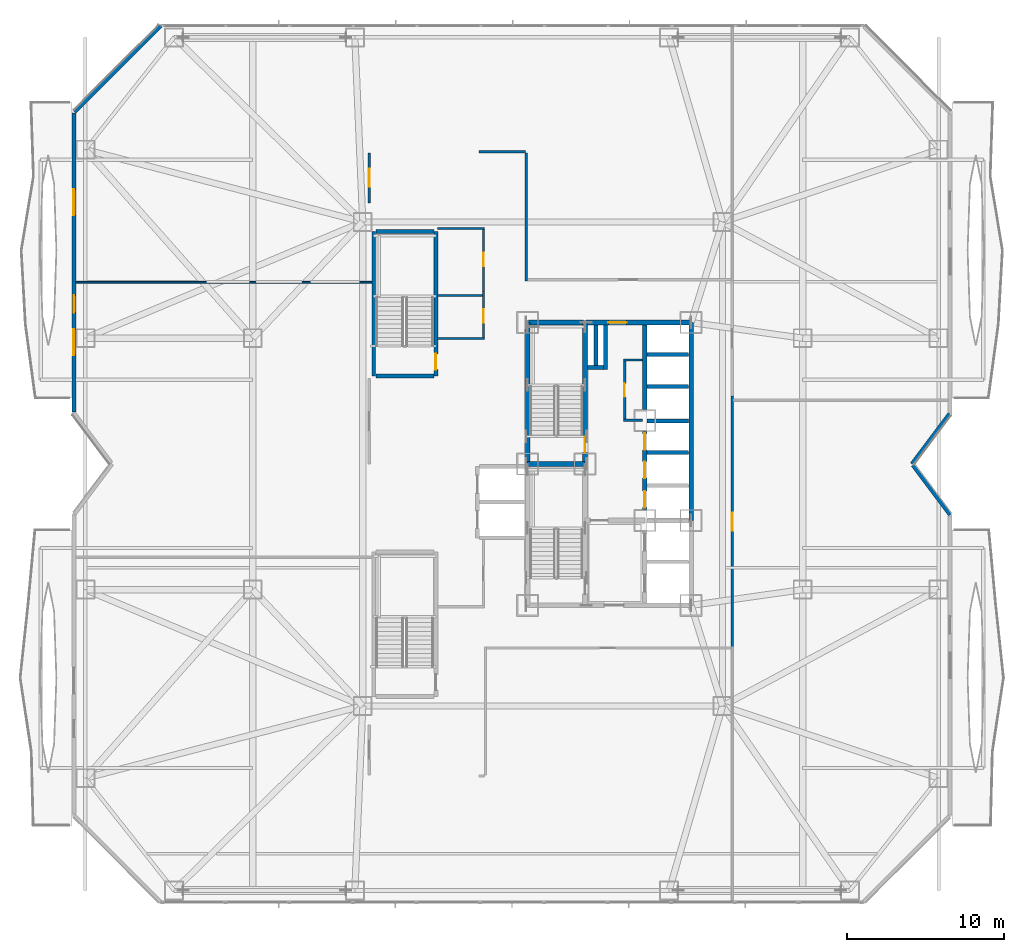
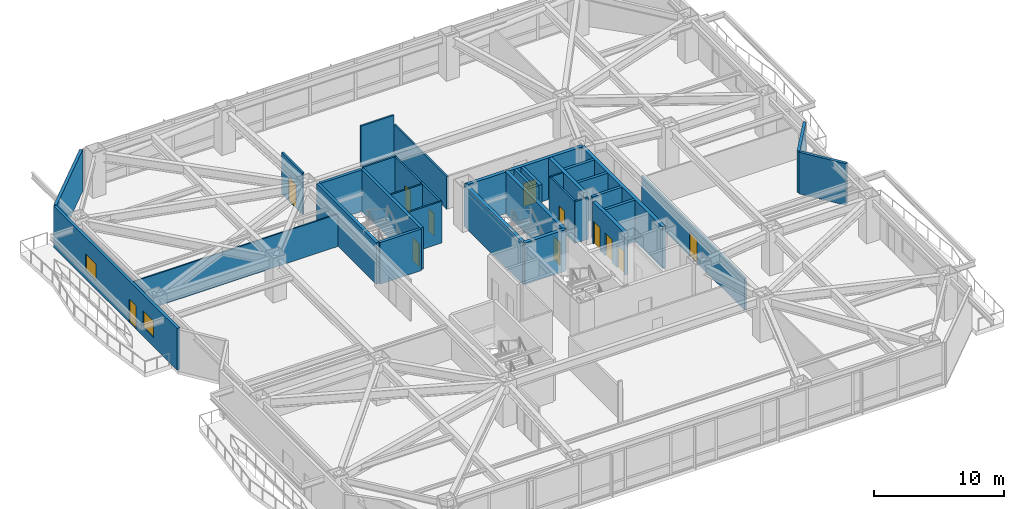
# One storey, part 24 of 32: 35 walls, 12 doors, 2 windows, 14 openings.
"""IFC4 building model written with IfcOpenShell, lengths in metres."""

from ifc_helpers import new_model, si_unit, direction, frame, frame_2d, origin, place, context, subcontext, project, spatial, rectangle, extrude, material, layer, layer_set, type_object, element, fill, save


model = new_model("IFC4")

# Units and contexts
model_context = context("Model", 3, precision=1e-05, world=origin(), true_north=direction((0.0, 1.0)))
body_context = subcontext(model_context, "Body", "Model", "MODEL_VIEW")
ifc_project = project(units=[si_unit("LENGTHUNIT", "METRE"), si_unit("AREAUNIT", "SQUARE_METRE"), si_unit("VOLUMEUNIT", "CUBIC_METRE"), si_unit("PLANEANGLEUNIT", "RADIAN"), si_unit("MASSUNIT", "GRAM", prefix="KILO")], contexts=[model_context])

# Site, building, storey
site_placement = place(None, origin())
site = spatial("IfcSite", under=ifc_project, at=site_placement, CompositionType="ELEMENT")
building_placement = place(site_placement, origin())
building = spatial("IfcBuilding", under=site, at=building_placement, Name="Khamvora Tower", CompositionType="ELEMENT")
storey_placement = place(building_placement, frame((0.0, 0.0, 12.0)))
storey = spatial("IfcBuildingStorey", under=building, at=storey_placement, Name="L02", CompositionType="ELEMENT", Elevation=12.0)

# Wall
ifc_material_1 = material(Name="Concrete C50/60", Category="concrete")
ifc_layer_1 = layer(ifc_material_1, 0.300048828125)
ifc_layer_set_1 = layer_set([ifc_layer_1], Name="Concrete C50/60")
wall_type_1 = type_object("IfcWallType", Name="WAL-CORE-300", PredefinedType="SHEAR", material=ifc_layer_set_1)
wall_1_placement = place(storey_placement, frame((29.0, 28.0, 0.0), z_axis=(0.0, 0.0, 1.0), x_axis=(0.0, 1.0, 0.0)))
element("IfcWall", 1, at=wall_1_placement, inside=storey, type_object=wall_type_1, Name="L02 central core west north wall", PredefinedType="SHEAR", context=body_context, shape_type="SweptSolid", body=[
    extrude(rectangle(XDim=9.0, YDim=0.300048828125, at=frame_2d((4.5, 0.0))), origin(), (0.0, 0.0, 1.0), 3.919921875),
])

# Wall, opening, door
wall_2_placement = place(storey_placement, frame((29.0, 37.0, 0.0), z_axis=(0.0, 0.0, 1.0), x_axis=(1.0, 0.0, 0.0)))
wall_2 = element("IfcWall", 2, at=wall_2_placement, inside=storey, type_object=wall_type_1, Name="L02 central core north wall", PredefinedType="SHEAR", context=body_context, shape_type="SweptSolid", body=[
    extrude(rectangle(XDim=10.39990234375, YDim=0.300048828125, at=frame_2d((5.199951171875, 0.0))), origin(), (0.0, 0.0, 1.0), 3.919921875),
])
opening_1_placement = place(wall_2_placement, frame((5.139892578125, 0.0, 0.0)))
opening_1 = element("IfcOpeningElement", 3, at=opening_1_placement, cuts=wall_2, Name="Opening D-SC1", PredefinedType="OPENING", context=body_context, shape_type="SweptSolid", body=[
    extrude(rectangle(XDim=1.14990234375, YDim=2.199951171875, at=frame_2d((0.574951171875, 1.10009765625))), frame((0.0, 0.159912109375, 0.0), z_axis=(0.0, -1.0, 0.0), x_axis=(1.0, 0.0, 0.0)), (0.0, 0.0, 1.0), 0.320068359375),
])
ifc_material_2 = material(Name="Powder-Coated Steel and Hardwood Leaf", Category="steel")
door_type_1 = type_object("IfcDoorType", Name="DOR-SCHL-1150", OperationType="NOTDEFINED", PredefinedType="DOOR", material=ifc_material_2)
door_1_placement = place(opening_1_placement, origin())
door_1 = element("IfcDoor", 4, at=door_1_placement, inside=storey, type_object=door_type_1, Name="L02 north core lobby to corridor fire door", OperationType="SINGLE_SWING_LEFT", OverallHeight=2.199951171875, OverallWidth=1.14990234375, PredefinedType="DOOR", context=body_context, shape_type="SweptSolid", body=[
    extrude(rectangle(XDim=1.14990234375, YDim=2.199951171875, at=frame_2d((0.574951171875, 1.10009765625))), frame((0.0, 0.02490234375, 0.0), z_axis=(0.0, -1.0, 0.0), x_axis=(1.0, 0.0, 0.0)), (0.0, 0.0, 1.0), 0.050048828125),
])
fill(opening_1, door_1)

# Wall
wall_3_placement = place(storey_placement, frame((39.39990234375, 24.39990234375, 0.0), z_axis=(0.0, 0.0, 1.0), x_axis=(0.0, 1.0, 0.0)))
element("IfcWall", 5, at=wall_3_placement, inside=storey, type_object=wall_type_1, Name="L02 central core east north wall", PredefinedType="SHEAR", context=body_context, shape_type="SweptSolid", body=[
    extrude(rectangle(XDim=12.60009765625, YDim=0.300048828125, at=frame_2d((6.300048828125, 0.0))), origin(), (0.0, 0.0, 1.0), 3.919921875),
])

# Wall, opening, door
wall_4_placement = place(storey_placement, frame((32.64990234375, 28.0, 0.0), z_axis=(0.0, 0.0, 1.0), x_axis=(0.0, 1.0, 0.0)))
wall_4 = element("IfcWall", 6, at=wall_4_placement, inside=storey, type_object=wall_type_1, Name="L02 central core stair north spine wall", PredefinedType="SHEAR", context=body_context, shape_type="SweptSolid", body=[
    extrude(rectangle(XDim=9.0, YDim=0.300048828125, at=frame_2d((4.5, 0.0))), origin(), (0.0, 0.0, 1.0), 3.919921875),
])
opening_2_placement = place(wall_4_placement, frame((0.719970703125, 0.0, 0.0)))
opening_2 = element("IfcOpeningElement", 7, at=opening_2_placement, cuts=wall_4, Name="Opening D-ST1", PredefinedType="OPENING", context=body_context, shape_type="SweptSolid", body=[
    extrude(rectangle(XDim=1.0, YDim=2.14990234375, at=frame_2d((0.5, 1.074951171875))), frame((0.0, 0.159912109375, 0.0), z_axis=(0.0, -1.0, 0.0), x_axis=(1.0, 0.0, 0.0)), (0.0, 0.0, 1.0), 0.320068359375),
])
door_type_2 = type_object("IfcDoorType", Name="DOR-STAIR-1000", OperationType="NOTDEFINED", PredefinedType="DOOR", material=ifc_material_2)
door_2_placement = place(opening_2_placement, origin())
door_2 = element("IfcDoor", 8, at=door_2_placement, inside=storey, type_object=door_type_2, Name="L02 exit stair ST-02 fire door", OperationType="SINGLE_SWING_RIGHT", OverallHeight=2.14990234375, OverallWidth=1.0, PredefinedType="DOOR", context=body_context, shape_type="SweptSolid", body=[
    extrude(rectangle(XDim=1.0, YDim=2.14990234375, at=frame_2d((0.5, 1.074951171875))), frame((0.0, 0.02490234375, 0.0), z_axis=(0.0, -1.0, 0.0), x_axis=(1.0, 0.0, 0.0)), (0.0, 0.0, 1.0), 0.050048828125),
])
fill(opening_2, door_2)

# Wall
wall_5_placement = place(storey_placement, frame((29.0, 28.0, 0.0), z_axis=(0.0, 0.0, 1.0), x_axis=(1.0, 0.0, 0.0)))
element("IfcWall", 9, at=wall_5_placement, inside=storey, type_object=wall_type_1, Name="L02 central core stair cross wall", PredefinedType="SHEAR", context=body_context, shape_type="SweptSolid", body=[
    extrude(rectangle(XDim=3.64990234375, YDim=0.300048828125, at=frame_2d((1.824951171875, 0.0))), origin(), (0.0, 0.0, 1.0), 3.919921875),
])

# Wall, openings, doors
wall_6_placement = place(storey_placement, frame((36.449951171875, 25.10009765625, 0.0), z_axis=(0.0, 0.0, 1.0), x_axis=(0.0, 1.0, 0.0)))
wall_6 = element("IfcWall", 10, at=wall_6_placement, inside=storey, type_object=wall_type_1, Name="L02 central core lift bank central wall", PredefinedType="SHEAR", context=body_context, shape_type="SweptSolid", body=[
    extrude(rectangle(XDim=4.949951171875, YDim=0.300048828125, at=frame_2d((2.47509765625, 0.0))), origin(), (0.0, 0.0, 1.0), 3.919921875),
])
opening_3_placement = place(wall_6_placement, frame((0.1201171875, 0.0, 0.0)))
opening_3 = element("IfcOpeningElement", 11, at=opening_3_placement, cuts=wall_6, Name="Opening LD-PL", PredefinedType="OPENING", context=body_context, shape_type="SweptSolid", body=[
    extrude(rectangle(XDim=1.050048828125, YDim=2.14990234375, at=frame_2d((0.52490234375, 1.074951171875))), frame((0.0, 0.159912109375, 0.0), z_axis=(0.0, -1.0, 0.0), x_axis=(1.0, 0.0, 0.0)), (0.0, 0.0, 1.0), 0.320068359375),
])
opening_4_placement = place(wall_6_placement, frame((1.9951171875, 0.0, 0.0)))
opening_4 = element("IfcOpeningElement", 12, at=opening_4_placement, cuts=wall_6, Name="Opening LD-PL", PredefinedType="OPENING", context=body_context, shape_type="SweptSolid", body=[
    extrude(rectangle(XDim=1.050048828125, YDim=2.14990234375, at=frame_2d((0.52490234375, 1.074951171875))), frame((0.0, 0.159912109375, 0.0), z_axis=(0.0, -1.0, 0.0), x_axis=(1.0, 0.0, 0.0)), (0.0, 0.0, 1.0), 0.320068359375),
])
opening_5_placement = place(wall_6_placement, frame((3.794921875, 0.0, 0.0)))
opening_5 = element("IfcOpeningElement", 13, at=opening_5_placement, cuts=wall_6, Name="Opening LD-PL", PredefinedType="OPENING", context=body_context, shape_type="SweptSolid", body=[
    extrude(rectangle(XDim=1.050048828125, YDim=2.14990234375, at=frame_2d((0.52490234375, 1.074951171875))), frame((0.0, 0.159912109375, 0.0), z_axis=(0.0, -1.0, 0.0), x_axis=(1.0, 0.0, 0.0)), (0.0, 0.0, 1.0), 0.320068359375),
])
door_type_3 = type_object("IfcDoorType", Name="DOR-LIFT-1050", OperationType="SLIDING_TO_LEFT", PredefinedType="DOOR", material=ifc_material_2)
door_3_placement = place(opening_3_placement, origin())
door_3 = element("IfcDoor", 14, at=door_3_placement, inside=storey, type_object=door_type_3, Name="L02 lift landing sliding door PL-01", OperationType="SLIDING_TO_LEFT", OverallHeight=2.14990234375, OverallWidth=1.050048828125, PredefinedType="DOOR", context=body_context, shape_type="SweptSolid", body=[
    extrude(rectangle(XDim=1.050048828125, YDim=2.14990234375, at=frame_2d((0.52490234375, 1.074951171875))), frame((0.0, 0.02490234375, 0.0), z_axis=(0.0, -1.0, 0.0), x_axis=(1.0, 0.0, 0.0)), (0.0, 0.0, 1.0), 0.050048828125),
])
fill(opening_3, door_3)
door_4_placement = place(opening_4_placement, origin())
door_4 = element("IfcDoor", 15, at=door_4_placement, inside=storey, type_object=door_type_3, Name="L02 lift landing sliding door PL-02", OperationType="SLIDING_TO_LEFT", OverallHeight=2.14990234375, OverallWidth=1.050048828125, PredefinedType="DOOR", context=body_context, shape_type="SweptSolid", body=[
    extrude(rectangle(XDim=1.050048828125, YDim=2.14990234375, at=frame_2d((0.52490234375, 1.074951171875))), frame((0.0, 0.02490234375, 0.0), z_axis=(0.0, -1.0, 0.0), x_axis=(1.0, 0.0, 0.0)), (0.0, 0.0, 1.0), 0.050048828125),
])
fill(opening_4, door_4)
door_5_placement = place(opening_5_placement, origin())
door_5 = element("IfcDoor", 16, at=door_5_placement, inside=storey, type_object=door_type_3, Name="L02 lift landing sliding door PL-03", OperationType="SLIDING_TO_LEFT", OverallHeight=2.14990234375, OverallWidth=1.050048828125, PredefinedType="DOOR", context=body_context, shape_type="SweptSolid", body=[
    extrude(rectangle(XDim=1.050048828125, YDim=2.14990234375, at=frame_2d((0.52490234375, 1.074951171875))), frame((0.0, 0.02490234375, 0.0), z_axis=(0.0, -1.0, 0.0), x_axis=(1.0, 0.0, 0.0)), (0.0, 0.0, 1.0), 0.050048828125),
])
fill(opening_5, door_5)

# Walls
wall_7_placement = place(storey_placement, frame((36.449951171875, 31.449951171875, 0.0), z_axis=(0.0, 0.0, 1.0), x_axis=(0.0, 1.0, 0.0)))
element("IfcWall", 17, at=wall_7_placement, inside=storey, type_object=wall_type_1, Name="L02 central core lift bank north wall", PredefinedType="SHEAR", context=body_context, shape_type="SweptSolid", body=[
    extrude(rectangle(XDim=5.39599609375, YDim=0.300048828125, at=frame_2d((2.697998046875, 0.0))), origin(), (0.0, 0.0, 1.0), 3.919921875),
])
ifc_material_3 = material(Name="Fire-Rated Drywall and Steel Stud", Category="steel")
ifc_layer_2 = layer(ifc_material_3, 0.14990234375)
ifc_layer_set_2 = layer_set([ifc_layer_2], Name="Fire-Rated Drywall and Steel Stud")
wall_type_2 = type_object("IfcWallType", Name="WAL-CORR-150", PredefinedType="STANDARD", material=ifc_layer_set_2)
wall_8_placement = place(storey_placement, frame((36.305908203125, 34.614990234375, 0.0), z_axis=(0.0, 0.0, 1.0), x_axis=(-1.0, 0.0, 0.0)))
element("IfcWall", 18, at=wall_8_placement, inside=storey, type_object=wall_type_2, Name="L02 interior partition wall 001", PredefinedType="STANDARD", context=body_context, shape_type="SweptSolid", body=[
    extrude(rectangle(XDim=1.205810546875, YDim=0.14990234375, at=frame_2d((0.60302734375, 0.0))), origin(), (0.0, 0.0, 1.0), 3.919921875),
])

# Wall, opening, door
wall_9_placement = place(storey_placement, frame((35.1650390625, 34.677978515625, 0.0), z_axis=(0.0, 0.0, 1.0), x_axis=(0.0, -1.0, 0.0)))
wall_9 = element("IfcWall", 19, at=wall_9_placement, inside=storey, type_object=wall_type_2, Name="L02 interior partition wall 002", PredefinedType="STANDARD", context=body_context, shape_type="SweptSolid", body=[
    extrude(rectangle(XDim=3.9580078125, YDim=0.14990234375, at=frame_2d((1.97900390625, 0.0))), origin(), (0.0, 0.0, 1.0), 3.919921875),
])
opening_6_placement = place(wall_9_placement, frame((1.553955078125, 0.0, 0.0)))
opening_6 = element("IfcOpeningElement", 20, at=opening_6_placement, cuts=wall_9, Name="Opening D-WC1", PredefinedType="OPENING", context=body_context, shape_type="SweptSolid", body=[
    extrude(rectangle(XDim=0.85009765625, YDim=2.10009765625, at=frame_2d((0.425048828125, 1.050048828125))), frame((0.0, 0.0849609375, 0.0), z_axis=(0.0, -1.0, 0.0), x_axis=(1.0, 0.0, 0.0)), (0.0, 0.0, 1.0), 0.169921875),
])
door_type_4 = type_object("IfcDoorType", Name="DOR-WET-850", OperationType="NOTDEFINED", PredefinedType="DOOR", material=ifc_material_2)
door_6_placement = place(opening_6_placement, origin())
door_6 = element("IfcDoor", 21, at=door_6_placement, inside=storey, type_object=door_type_4, Name="L02 interior door PLL-CS1", OperationType="SINGLE_SWING_RIGHT", OverallHeight=2.10009765625, OverallWidth=0.85009765625, PredefinedType="DOOR", context=body_context, shape_type="SweptSolid", body=[
    extrude(rectangle(XDim=0.85009765625, YDim=2.10009765625, at=frame_2d((0.425048828125, 1.050048828125))), frame((0.0, 0.02490234375, 0.0), z_axis=(0.0, -1.0, 0.0), x_axis=(1.0, 0.0, 0.0)), (0.0, 0.0, 1.0), 0.050048828125),
])
fill(opening_6, door_6)

# Walls
wall_10_placement = place(storey_placement, frame((35.10205078125, 30.784912109375, 0.0), z_axis=(0.0, 0.0, 1.0), x_axis=(1.0, 0.0, 0.0)))
element("IfcWall", 22, at=wall_10_placement, inside=storey, type_object=wall_type_2, Name="L02 interior partition wall 003", PredefinedType="STANDARD", context=body_context, shape_type="SweptSolid", body=[
    extrude(rectangle(XDim=1.197998046875, YDim=0.14990234375, at=frame_2d((0.59912109375, 0.0))), origin(), (0.0, 0.0, 1.0), 3.919921875),
])
wall_11_placement = place(storey_placement, frame((23.26708984375, 35.985107421875, 0.0), z_axis=(0.0, 0.0, 1.0), x_axis=(1.0, 0.0, 0.0)))
element("IfcWall", 23, at=wall_11_placement, inside=storey, type_object=wall_type_2, Name="L02 interior partition wall 006", PredefinedType="STANDARD", context=body_context, shape_type="SweptSolid", body=[
    extrude(rectangle(XDim=2.98291015625, YDim=0.14990234375, at=frame_2d((1.491455078125, 0.0))), origin(), (0.0, 0.0, 1.0), 3.919921875),
])

# Wall, opening, door
wall_12_placement = place(storey_placement, frame((26.18505859375, 35.922119140625, 0.0), z_axis=(0.0, 0.0, 1.0), x_axis=(0.0, 1.0, 0.0)))
wall_12 = element("IfcWall", 24, at=wall_12_placement, inside=storey, type_object=wall_type_2, Name="L02 interior partition wall 007", PredefinedType="STANDARD", context=body_context, shape_type="SweptSolid", body=[
    extrude(rectangle(XDim=3.0419921875, YDim=0.14990234375, at=frame_2d((1.52099609375, 0.0))), origin(), (0.0, 0.0, 1.0), 3.919921875),
])
opening_7_placement = place(wall_12_placement, frame((1.074951171875, 0.0, 0.0)))
opening_7 = element("IfcOpeningElement", 25, at=opening_7_placement, cuts=wall_12, Name="Opening D-WC1", PredefinedType="OPENING", context=body_context, shape_type="SweptSolid", body=[
    extrude(rectangle(XDim=0.85009765625, YDim=2.10009765625, at=frame_2d((0.425048828125, 1.050048828125))), frame((0.0, 0.0849609375, 0.0), z_axis=(0.0, -1.0, 0.0), x_axis=(1.0, 0.0, 0.0)), (0.0, 0.0, 1.0), 0.169921875),
])
door_7_placement = place(opening_7_placement, origin())
door_7 = element("IfcDoor", 26, at=door_7_placement, inside=storey, type_object=door_type_4, Name="L02 interior door SCOR-WCA", OperationType="SINGLE_SWING_RIGHT", OverallHeight=2.10009765625, OverallWidth=0.85009765625, PredefinedType="DOOR", context=body_context, shape_type="SweptSolid", body=[
    extrude(rectangle(XDim=0.85009765625, YDim=2.10009765625, at=frame_2d((0.425048828125, 1.050048828125))), frame((0.0, 0.02490234375, 0.0), z_axis=(0.0, -1.0, 0.0), x_axis=(1.0, 0.0, 0.0)), (0.0, 0.0, 1.0), 0.050048828125),
])
fill(opening_7, door_7)

wall_13_placement = place(storey_placement, frame((26.18505859375, 38.964111328125, 0.0), z_axis=(0.0, 0.0, 1.0), x_axis=(0.0, 1.0, 0.0)))
wall_13 = element("IfcWall", 27, at=wall_13_placement, inside=storey, type_object=wall_type_2, Name="L02 interior partition wall 008", PredefinedType="STANDARD", context=body_context, shape_type="SweptSolid", body=[
    extrude(rectangle(XDim=4.0859375, YDim=0.14990234375, at=frame_2d((2.04296875, 0.0))), origin(), (0.0, 0.0, 1.0), 3.919921875),
])
opening_8_placement = place(wall_13_placement, frame((1.617919921875, 0.0, 0.0)))
opening_8 = element("IfcOpeningElement", 28, at=opening_8_placement, cuts=wall_13, Name="Opening D-WC1", PredefinedType="OPENING", context=body_context, shape_type="SweptSolid", body=[
    extrude(rectangle(XDim=0.85009765625, YDim=2.10009765625, at=frame_2d((0.425048828125, 1.050048828125))), frame((0.0, 0.0849609375, 0.0), z_axis=(0.0, -1.0, 0.0), x_axis=(1.0, 0.0, 0.0)), (0.0, 0.0, 1.0), 0.169921875),
])
door_8_placement = place(opening_8_placement, origin())
door_8 = element("IfcDoor", 29, at=door_8_placement, inside=storey, type_object=door_type_4, Name="L02 interior door SCOR-WCF", OperationType="SINGLE_SWING_LEFT", OverallHeight=2.10009765625, OverallWidth=0.85009765625, PredefinedType="DOOR", context=body_context, shape_type="SweptSolid", body=[
    extrude(rectangle(XDim=0.85009765625, YDim=2.10009765625, at=frame_2d((0.425048828125, 1.050048828125))), frame((0.0, 0.02490234375, 0.0), z_axis=(0.0, -1.0, 0.0), x_axis=(1.0, 0.0, 0.0)), (0.0, 0.0, 1.0), 0.050048828125),
])
fill(opening_8, door_8)

# Wall
wall_14_placement = place(storey_placement, frame((26.25, 42.985107421875, 0.0), z_axis=(0.0, 0.0, 1.0), x_axis=(-1.0, 0.0, 0.0)))
element("IfcWall", 30, at=wall_14_placement, inside=storey, type_object=wall_type_2, Name="L02 interior partition wall 009", PredefinedType="STANDARD", context=body_context, shape_type="SweptSolid", body=[
    extrude(rectangle(XDim=3.0, YDim=0.14990234375, at=frame_2d((1.5, 0.0))), origin(), (0.0, 0.0, 1.0), 3.919921875),
])

# Wall, opening, door
wall_15_placement = place(storey_placement, frame((18.9150390625, 44.60009765625, 0.0), z_axis=(0.0, 0.0, 1.0), x_axis=(0.0, 1.0, 0.0)))
wall_15 = element("IfcWall", 31, at=wall_15_placement, inside=storey, type_object=wall_type_2, Name="L02 interior partition wall 012", PredefinedType="STANDARD", context=body_context, shape_type="SweptSolid", body=[
    extrude(rectangle(XDim=3.199951171875, YDim=0.14990234375, at=frame_2d((1.60009765625, 0.0))), origin(), (0.0, 0.0, 1.0), 3.919921875),
])
opening_9_placement = place(wall_15_placement, frame((1.02490234375, 0.0, 0.0)))
opening_9 = element("IfcOpeningElement", 32, at=opening_9_placement, cuts=wall_15, Name="Opening D-SC1", PredefinedType="OPENING", context=body_context, shape_type="SweptSolid", body=[
    extrude(rectangle(XDim=1.14990234375, YDim=2.199951171875, at=frame_2d((0.574951171875, 1.10009765625))), frame((0.0, 0.0849609375, 0.0), z_axis=(0.0, -1.0, 0.0), x_axis=(1.0, 0.0, 0.0)), (0.0, 0.0, 1.0), 0.169921875),
])
door_9_placement = place(opening_9_placement, origin())
door_9 = element("IfcDoor", 33, at=door_9_placement, inside=storey, type_object=door_type_1, Name="L02 interior door SCOR-CL3", OperationType="SINGLE_SWING_RIGHT", OverallHeight=2.199951171875, OverallWidth=1.14990234375, PredefinedType="DOOR", context=body_context, shape_type="SweptSolid", body=[
    extrude(rectangle(XDim=1.14990234375, YDim=2.199951171875, at=frame_2d((0.574951171875, 1.10009765625))), frame((0.0, 0.02490234375, 0.0), z_axis=(0.0, -1.0, 0.0), x_axis=(1.0, 0.0, 0.0)), (0.0, 0.0, 1.0), 0.050048828125),
])
fill(opening_9, door_9)

wall_16_placement = place(storey_placement, frame((42.014892578125, 32.31396484375, 0.0), z_axis=(0.0, 0.0, 1.0), x_axis=(0.0, -1.0, 0.0)))
wall_16 = element("IfcWall", 34, at=wall_16_placement, inside=storey, type_object=wall_type_2, Name="L02 interior partition wall 013", PredefinedType="STANDARD", context=body_context, shape_type="SweptSolid", body=[
    extrude(rectangle(XDim=15.9638671875, YDim=0.14990234375, at=frame_2d((7.98193359375, 0.0))), origin(), (0.0, 0.0, 1.0), 3.054931640625),
])
opening_10_placement = place(wall_16_placement, frame((7.427978515625, 0.0, 0.0)))
opening_10 = element("IfcOpeningElement", 35, at=opening_10_placement, cuts=wall_16, Name="Opening D-SC1", PredefinedType="OPENING", context=body_context, shape_type="SweptSolid", body=[
    extrude(rectangle(XDim=1.14990234375, YDim=2.199951171875, at=frame_2d((0.574951171875, 1.10009765625))), frame((0.0, 0.0849609375, 0.0), z_axis=(0.0, -1.0, 0.0), x_axis=(1.0, 0.0, 0.0)), (0.0, 0.0, 1.0), 0.169921875),
])
door_10_placement = place(opening_10_placement, origin())
door_10 = element("IfcDoor", 36, at=door_10_placement, inside=storey, type_object=door_type_1, Name="L02 interior door SCOR-LIB", OperationType="SINGLE_SWING_LEFT", OverallHeight=2.199951171875, OverallWidth=1.14990234375, PredefinedType="DOOR", context=body_context, shape_type="SweptSolid", body=[
    extrude(rectangle(XDim=1.14990234375, YDim=2.199951171875, at=frame_2d((0.574951171875, 1.10009765625))), frame((0.0, 0.02490234375, 0.0), z_axis=(0.0, -1.0, 0.0), x_axis=(1.0, 0.0, 0.0)), (0.0, 0.0, 1.0), 0.050048828125),
])
fill(opening_10, door_10)

# Walls
wall_17_placement = place(storey_placement, frame((25.910888671875, 47.864990234375, 0.0), z_axis=(0.0, 0.0, 1.0), x_axis=(1.0, 0.0, 0.0)))
element("IfcWall", 37, at=wall_17_placement, inside=storey, type_object=wall_type_2, Name="L02 interior partition wall 018", PredefinedType="STANDARD", context=body_context, shape_type="SweptSolid", body=[
    extrude(rectangle(XDim=2.939208984375, YDim=0.14990234375, at=frame_2d((1.4697265625, 0.0))), origin(), (0.0, 0.0, 1.0), 3.919921875),
])
wall_18_placement = place(storey_placement, frame((28.9150390625, 47.800048828125, 0.0), z_axis=(0.0, 0.0, 1.0), x_axis=(0.0, -1.0, 0.0)))
element("IfcWall", 38, at=wall_18_placement, inside=storey, type_object=wall_type_2, Name="L02 interior partition wall 019", PredefinedType="STANDARD", context=body_context, shape_type="SweptSolid", body=[
    extrude(rectangle(XDim=8.150146484375, YDim=0.14990234375, at=frame_2d((4.0751953125, 0.0))), origin(), (0.0, 0.0, 1.0), 3.054931640625),
])

# Wall, openings, door, windows
ifc_material_4 = material(Name="Precast concrete C40/50", Category="concrete")
ifc_layer_3 = layer(ifc_material_4, 0.239990234375)
ifc_layer_set_3 = layer_set([ifc_layer_3], Name="Precast concrete C40/50")
wall_type_3 = type_object("IfcWallType", Name="WAL-EXT-240", PredefinedType="STANDARD", material=ifc_layer_set_3)
wall_19_placement = place(storey_placement, frame((0.1201171875, 31.303955078125, 0.0), z_axis=(0.0, 0.0, 1.0), x_axis=(0.0, 1.0, 0.0)))
wall_19 = element("IfcWall", 39, at=wall_19_placement, inside=storey, type_object=wall_type_3, Name="L02 exterior facade wall 05.1", PredefinedType="STANDARD", context=body_context, shape_type="SweptSolid", body=[
    extrude(rectangle(XDim=19.046142578125, YDim=0.239990234375, at=frame_2d((9.52294921875, 0.0))), origin(), (0.0, 0.0, 1.0), 3.919921875),
])
opening_11_placement = place(wall_19_placement, frame((6.326904296875, 0.0, 0.0)))
opening_11 = element("IfcOpeningElement", 40, at=opening_11_placement, cuts=wall_19, Name="Opening BD-01", PredefinedType="OPENING", context=body_context, shape_type="SweptSolid", body=[
    extrude(rectangle(XDim=1.10009765625, YDim=2.199951171875, at=frame_2d((0.550048828125, 1.10009765625))), frame((0.0, 0.1298828125, 0.0), z_axis=(0.0, -1.0, 0.0), x_axis=(1.0, 0.0, 0.0)), (0.0, 0.0, 1.0), 0.260009765625),
])
opening_12_placement = place(wall_19_placement, frame((3.623046875, 0.0, 0.85009765625)))
opening_12 = element("IfcOpeningElement", 41, at=opening_12_placement, cuts=wall_19, Name="Opening WN-06", PredefinedType="OPENING", context=body_context, shape_type="SweptSolid", body=[
    extrude(rectangle(XDim=1.64990234375, YDim=1.550048828125, at=frame_2d((0.824951171875, 0.77490234375))), frame((0.0, 0.1298828125, 0.0), z_axis=(0.0, -1.0, 0.0), x_axis=(1.0, 0.0, 0.0)), (0.0, 0.0, 1.0), 0.260009765625),
])
opening_13_placement = place(wall_19_placement, frame((12.51611328125, 0.0, 0.85009765625)))
opening_13 = element("IfcOpeningElement", 42, at=opening_13_placement, cuts=wall_19, Name="Opening WN-06", PredefinedType="OPENING", context=body_context, shape_type="SweptSolid", body=[
    extrude(rectangle(XDim=1.64990234375, YDim=1.550048828125, at=frame_2d((0.824951171875, 0.77490234375))), frame((0.0, 0.1298828125, 0.0), z_axis=(0.0, -1.0, 0.0), x_axis=(1.0, 0.0, 0.0)), (0.0, 0.0, 1.0), 0.260009765625),
])
ifc_material_5 = material(Name="Anodised Aluminium and Laminated Safety Glass", Category="aluminium")
door_type_5 = type_object("IfcDoorType", Name="DOR-BAL-1100", OperationType="NOTDEFINED", PredefinedType="DOOR", material=ifc_material_5)
door_11_placement = place(opening_11_placement, origin())
door_11 = element("IfcDoor", 43, at=door_11_placement, inside=storey, type_object=door_type_5, Name="L02 lens gallery balcony door WL2", OperationType="SLIDING_TO_LEFT", OverallHeight=2.199951171875, OverallWidth=1.10009765625, PredefinedType="DOOR", context=body_context, shape_type="SweptSolid", body=[
    extrude(rectangle(XDim=1.10009765625, YDim=2.199951171875, at=frame_2d((0.550048828125, 1.10009765625))), frame((0.0, 0.02490234375, 0.0), z_axis=(0.0, -1.0, 0.0), x_axis=(1.0, 0.0, 0.0)), (0.0, 0.0, 1.0), 0.050048828125),
])
fill(opening_11, door_11)
ifc_material_6 = material(Name="Low-E Laminated Double Glazing", Category="glass")
window_type = type_object("IfcWindowType", Name="WIN-VIS-1650x1550", PartitioningType="SINGLE_PANEL", PredefinedType="WINDOW", material=ifc_material_6)
window_1_placement = place(opening_12_placement, origin())
window_1 = element("IfcWindow", 44, at=window_1_placement, inside=storey, type_object=window_type, Name="L02 vision window 05.1.01", OverallHeight=1.550048828125, OverallWidth=1.64990234375, PartitioningType="SINGLE_PANEL", PredefinedType="WINDOW", context=body_context, shape_type="SweptSolid", body=[
    extrude(rectangle(XDim=1.64990234375, YDim=1.550048828125, at=frame_2d((0.824951171875, 0.77490234375))), frame((0.0, 0.030029296875, 0.0), z_axis=(0.0, -1.0, 0.0), x_axis=(1.0, 0.0, 0.0)), (0.0, 0.0, 1.0), 0.06005859375),
])
fill(opening_12, window_1)
window_2_placement = place(opening_13_placement, origin())
window_2 = element("IfcWindow", 45, at=window_2_placement, inside=storey, type_object=window_type, Name="L02 vision window 05.1.02", OverallHeight=1.550048828125, OverallWidth=1.64990234375, PartitioningType="SINGLE_PANEL", PredefinedType="WINDOW", context=body_context, shape_type="SweptSolid", body=[
    extrude(rectangle(XDim=1.64990234375, YDim=1.550048828125, at=frame_2d((0.824951171875, 0.77490234375))), frame((0.0, 0.030029296875, 0.0), z_axis=(0.0, -1.0, 0.0), x_axis=(1.0, 0.0, 0.0)), (0.0, 0.0, 1.0), 0.06005859375),
])
fill(opening_13, window_2)

# Walls
wall_20_placement = place(storey_placement, frame((0.175048828125, 50.405029296875, 0.0), z_axis=(0.0, 0.0, 1.0), x_axis=(0.707106781187, 0.707106781187, 0.0)))
element("IfcWall", 46, at=wall_20_placement, inside=storey, type_object=wall_type_3, Name="L02 exterior facade wall 06.1", PredefinedType="STANDARD", context=body_context, shape_type="SweptSolid", body=[
    extrude(rectangle(XDim=7.74267578125, YDim=0.239990234375, at=frame_2d((3.871337890625, 0.0))), origin(), (0.0, 0.0, 1.0), 3.919921875),
])
wall_21_placement = place(storey_placement, frame((55.842041015625, 31.18896484375, 0.0), z_axis=(0.0, 0.0, 1.0), x_axis=(-0.600058791648, -0.799955902889, 0.0)))
element("IfcWall", 47, at=wall_21_placement, inside=storey, type_object=wall_type_3, Name="L02 exterior facade wall 10.1", PredefinedType="STANDARD", context=body_context, shape_type="SweptSolid", body=[
    extrude(rectangle(XDim=3.986328125, YDim=0.239990234375, at=frame_2d((1.9931640625, 0.0))), origin(), (0.0, 0.0, 1.0), 3.919921875),
])
wall_22_placement = place(storey_placement, frame((53.512939453125, 27.916015625, 0.0), z_axis=(0.0, 0.0, 1.0), x_axis=(0.599990098106, -0.800007426325, 0.0)))
element("IfcWall", 48, at=wall_22_placement, inside=storey, type_object=wall_type_3, Name="L02 exterior facade wall 11.1", PredefinedType="STANDARD", context=body_context, shape_type="SweptSolid", body=[
    extrude(rectangle(XDim=3.945068359375, YDim=0.239990234375, at=frame_2d((1.97265625, 0.0))), origin(), (0.0, 0.0, 1.0), 3.919921875),
])
ifc_material_7 = material(Name="Gypsum Plasterboard Partition", Category="gypsum")
ifc_layer_4 = layer(ifc_material_7, 0.1201171875)
ifc_layer_set_4 = layer_set([ifc_layer_4], Name="Gypsum Plasterboard Partition")
wall_type_4 = type_object("IfcWallType", Name="WAL-PART-120", PredefinedType="PARTITIONING", material=ifc_layer_set_4)
wall_23_placement = place(storey_placement, frame((0.23193359375, 39.56494140625, 0.0), z_axis=(0.0, 0.0, 1.0), x_axis=(1.0, 0.0, 0.0)))
element("IfcWall", 49, at=wall_23_placement, inside=storey, type_object=wall_type_4, Name="L02 interior partition wall 023", PredefinedType="PARTITIONING", context=body_context, shape_type="SweptSolid", body=[
    extrude(rectangle(XDim=18.84912109375, YDim=0.1201171875, at=frame_2d((9.424560546875, 0.0))), origin(), (0.0, 0.0, 1.0), 3.054931640625),
])
ifc_material_8 = material(Name="Concrete C40/50", Category="concrete")
ifc_layer_5 = layer(ifc_material_8, 0.25)
ifc_layer_set_5 = layer_set([ifc_layer_5], Name="Concrete C40/50")
wall_type_5 = type_object("IfcWallType", Name="WAL-PODS-250", PredefinedType="SHEAR", material=ifc_layer_set_5)
for number, where, z_axis, x_axis, name in (
    (50, (36.60400390625, 28.72509765625, 0.0), (0.0, 0.0, 1.0), (1.0, 0.0, 0.0), "L02 lift shaft divider wall PL-02"),
    (51, (36.60400390625, 30.72509765625, 0.0), (0.0, 0.0, 1.0), (1.0, 0.0, 0.0), "L02 lift shaft divider wall PL-03"),
    (52, (36.60400390625, 32.925048828125, 0.0), (0.0, 0.0, 1.0), (1.0, 0.0, 0.0), "L02 lift shaft divider wall PH-01"),
    (53, (36.60400390625, 34.97509765625, 0.0), (0.0, 0.0, 1.0), (1.0, 0.0, 0.0), "L02 lift shaft divider wall PH-02"),
):
    element("IfcWall", number, at=place(storey_placement, frame(where, z_axis=z_axis, x_axis=x_axis)), inside=storey, type_object=wall_type_5, Name=name, PredefinedType="SHEAR", context=body_context, shape_type="SweptSolid", body=[
        extrude(rectangle(XDim=2.64208984375, YDim=0.25, at=frame_2d((1.321044921875, 0.0))), origin(), (0.0, 0.0, 1.0), 3.919921875),
    ])
wall_24_placement = place(storey_placement, frame((33.955078125, 34.02490234375, 0.0), z_axis=(0.0, 0.0, 1.0), x_axis=(0.0, 1.0, 0.0)))
element("IfcWall", 54, at=wall_24_placement, inside=storey, type_object=wall_type_5, Name="L02 vertical MEP riser shaft east enclosure wall", PredefinedType="SHEAR", context=body_context, shape_type="SweptSolid", body=[
    extrude(rectangle(XDim=2.821044921875, YDim=0.25, at=frame_2d((1.41064453125, 0.0))), origin(), (0.0, 0.0, 1.0), 3.919921875),
])
wall_25_placement = place(storey_placement, frame((32.803955078125, 34.14990234375, 0.0), z_axis=(0.0, 0.0, 1.0), x_axis=(1.0, 0.0, 0.0)))
element("IfcWall", 55, at=wall_25_placement, inside=storey, type_object=wall_type_5, Name="L02 vertical MEP riser shaft south enclosure wall", PredefinedType="SHEAR", context=body_context, shape_type="SweptSolid", body=[
    extrude(rectangle(XDim=1.02197265625, YDim=0.25, at=frame_2d((0.510986328125, 0.0))), origin(), (0.0, 0.0, 1.0), 3.919921875),
])
wall_26_placement = place(storey_placement, frame((33.340087890625, 34.279052734375, 0.0), z_axis=(0.0, 0.0, 1.0), x_axis=(0.0, 1.0, 0.0)))
element("IfcWall", 56, at=wall_26_placement, inside=storey, type_object=wall_type_5, Name="L02 vertical MEP riser shaft divider enclosure wall", PredefinedType="SHEAR", context=body_context, shape_type="SweptSolid", body=[
    extrude(rectangle(XDim=2.56689453125, YDim=0.25, at=frame_2d((1.283447265625, 0.0))), origin(), (0.0, 0.0, 1.0), 3.919921875),
])
wall_27_placement = place(storey_placement, frame((19.199951171875, 33.60009765625, 0.0), z_axis=(0.0, 0.0, 1.0), x_axis=(0.0, 1.0, 0.0)))
element("IfcWall", 57, at=wall_27_placement, inside=storey, type_object=wall_type_5, Name="L02 podium stair core wall st4 w", PredefinedType="SHEAR", context=body_context, shape_type="SweptSolid", body=[
    extrude(rectangle(XDim=9.199951171875, YDim=0.25, at=frame_2d((4.60009765625, 0.0))), origin(), (0.0, 0.0, 1.0), 3.919921875),
])

# Wall, opening, door
wall_28_placement = place(storey_placement, frame((23.14990234375, 33.60009765625, 0.0), z_axis=(0.0, 0.0, 1.0), x_axis=(0.0, 1.0, 0.0)))
wall_28 = element("IfcWall", 58, at=wall_28_placement, inside=storey, type_object=wall_type_5, Name="L02 podium stair core wall st4 e", PredefinedType="SHEAR", context=body_context, shape_type="SweptSolid", body=[
    extrude(rectangle(XDim=9.199951171875, YDim=0.25, at=frame_2d((4.60009765625, 0.0))), origin(), (0.0, 0.0, 1.0), 3.919921875),
])
opening_14_placement = place(wall_28_placement, frame((0.39990234375, 0.0, 0.0)))
opening_14 = element("IfcOpeningElement", 59, at=opening_14_placement, cuts=wall_28, Name="Opening D-ST1", PredefinedType="OPENING", context=body_context, shape_type="SweptSolid", body=[
    extrude(rectangle(XDim=1.0, YDim=2.14990234375, at=frame_2d((0.5, 1.074951171875))), frame((0.0, 0.135009765625, 0.0), z_axis=(0.0, -1.0, 0.0), x_axis=(1.0, 0.0, 0.0)), (0.0, 0.0, 1.0), 0.27001953125),
])
door_12_placement = place(opening_14_placement, origin())
door_12 = element("IfcDoor", 60, at=door_12_placement, inside=storey, type_object=door_type_2, Name="L02 podium stair ST4 enclosure door", OperationType="SINGLE_SWING_LEFT", OverallHeight=2.14990234375, OverallWidth=1.0, PredefinedType="DOOR", context=body_context, shape_type="SweptSolid", body=[
    extrude(rectangle(XDim=1.0, YDim=2.14990234375, at=frame_2d((0.5, 1.074951171875))), frame((0.0, 0.02490234375, 0.0), z_axis=(0.0, -1.0, 0.0), x_axis=(1.0, 0.0, 0.0)), (0.0, 0.0, 1.0), 0.050048828125),
])
fill(opening_14, door_12)

# Walls
for number, where, z_axis, x_axis, name in (
    (61, (19.3291015625, 33.60009765625, 0.0), (0.0, 0.0, 1.0), (1.0, 0.0, 0.0), "L02 podium stair core wall st4 s"),
    (62, (19.3291015625, 42.800048828125, 0.0), (0.0, 0.0, 1.0), (1.0, 0.0, 0.0), "L02 podium stair core wall st4 n"),
):
    element("IfcWall", number, at=place(storey_placement, frame(where, z_axis=z_axis, x_axis=x_axis)), inside=storey, type_object=wall_type_5, Name=name, PredefinedType="SHEAR", context=body_context, shape_type="SweptSolid", body=[
        extrude(rectangle(XDim=3.69189453125, YDim=0.25, at=frame_2d((1.845947265625, 0.0))), origin(), (0.0, 0.0, 1.0), 3.919921875),
    ])
ifc_material_9 = material(Name="Moisture-Resistant Plasterboard Partition", Category="gypsum")
ifc_layer_6 = layer(ifc_material_9, 0.135009765625)
ifc_layer_set_6 = layer_set([ifc_layer_6], Name="Moisture-Resistant Plasterboard Partition")
wall_type_6 = type_object("IfcWallType", Name="WAL-WET-135", PredefinedType="PARTITIONING", material=ifc_layer_set_6)
wall_29_placement = place(storey_placement, frame((23.26708984375, 38.715087890625, 0.0), z_axis=(0.0, 0.0, 1.0), x_axis=(1.0, 0.0, 0.0)))
element("IfcWall", 63, at=wall_29_placement, inside=storey, type_object=wall_type_6, Name="L02 interior partition wall 021", PredefinedType="PARTITIONING", context=body_context, shape_type="SweptSolid", body=[
    extrude(rectangle(XDim=2.850830078125, YDim=0.135009765625, at=frame_2d((1.42529296875, 0.0))), origin(), (0.0, 0.0, 1.0), 3.919921875),
])

save(model, "model.ifc")
